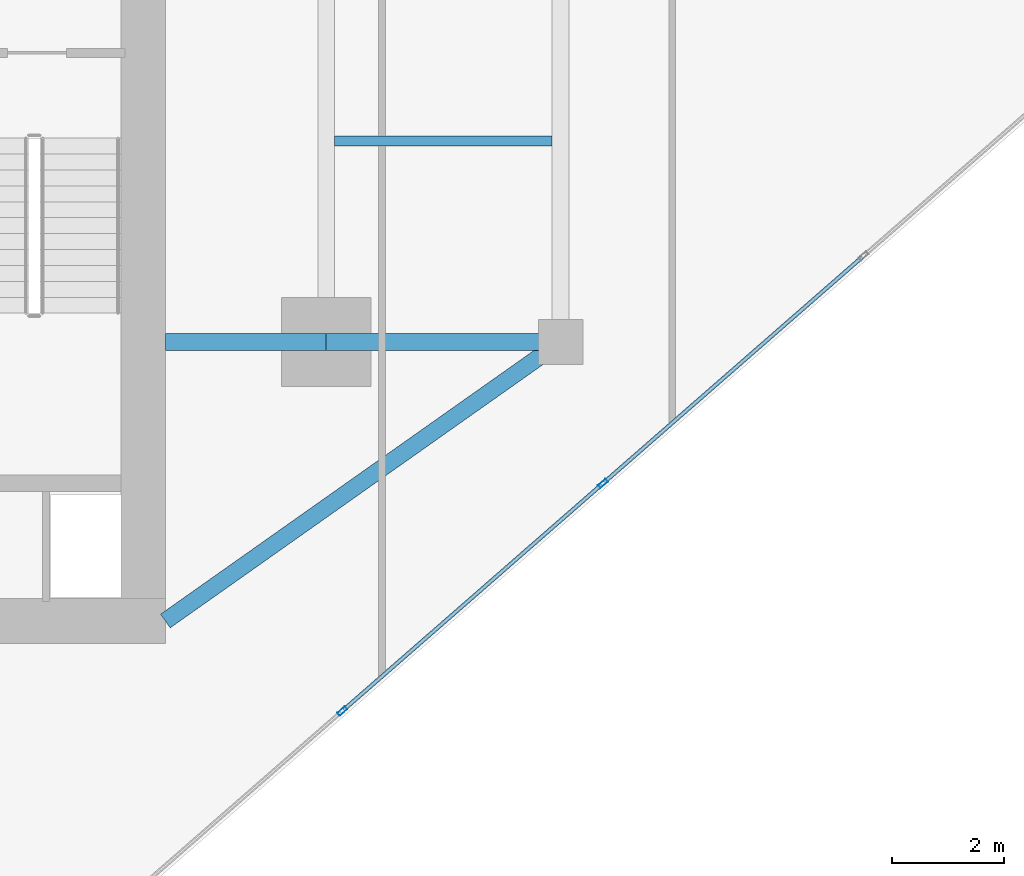
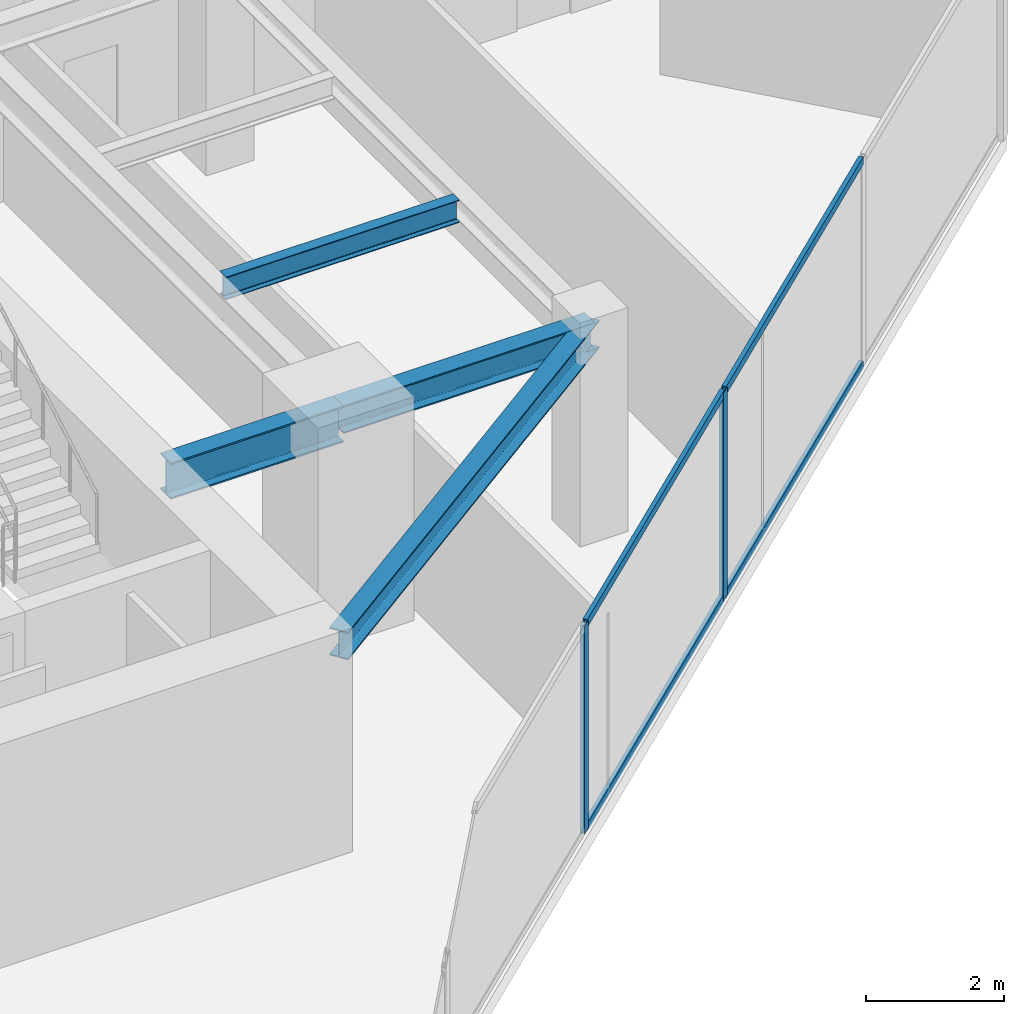
# One storey, part 9 of 24: 6 members, 4 beams, 1 element without a shape of its own.
"""IFC4 building model written with IfcOpenShell, lengths in metres."""

from ifc_helpers import new_model, si_unit, direction, frame, origin, origin_2d, place, context, subcontext, project, spatial, hollow_rectangle, i_section, extrude, source, transform, mapped, material, material_profile, profile_set, type_object, type_shapes, element, aggregate, save


model = new_model("IFC4")

# Units and contexts
model_context = context("Model", 3, precision=1e-05, world=origin(), true_north=direction((0.0, 1.0)))
body_context = subcontext(model_context, "Body", "Model", "MODEL_VIEW")
ifc_project = project(units=[si_unit("LENGTHUNIT", "METRE"), si_unit("AREAUNIT", "SQUARE_METRE"), si_unit("VOLUMEUNIT", "CUBIC_METRE"), si_unit("PLANEANGLEUNIT", "RADIAN"), si_unit("MASSUNIT", "GRAM", prefix="KILO")], contexts=[model_context])

# Site, building, storey
site_placement = place(None, origin())
site = spatial("IfcSite", under=ifc_project, at=site_placement, CompositionType="ELEMENT")
building_placement = place(site_placement, origin())
building = spatial("IfcBuilding", under=site, at=building_placement, Name="Krantzveldt Concourse Tower", CompositionType="ELEMENT")
storey_placement = place(building_placement, frame((0.0, 0.0, 250.75)))
storey = spatial("IfcBuildingStorey", under=building, at=storey_placement, Name="L61", CompositionType="ELEMENT", Elevation=250.75)

# Beams
ifc_material_1 = material(Name="Steel S355JR", Category="steel")
ifc_material_profile_1 = material_profile(ifc_material_1, i_section(OverallWidth=0.300048828125, OverallDepth=0.639892578125, WebThickness=0.013427734375, FlangeThickness=0.02587890625, FilletRadius=0.027099609375, at=origin_2d()), Name="Steel S355JR", Category="steel")
ifc_profile_set_1 = profile_set([ifc_material_profile_1], Name="Steel S355JR - HEA 650")
beam_type_1 = type_object("IfcBeamType", Name="BM-B-HEA650", PredefinedType="BEAM", material=ifc_profile_set_1)
shared_shape_1 = source(origin(), body_context, "Body", "SweptSolid", [
    extrude(i_section(OverallWidth=0.300048828125, OverallDepth=0.639892578125, WebThickness=0.013427734375, FlangeThickness=0.02587890625, FilletRadius=0.027099609375, at=origin_2d()), origin(), (0.0, 0.0, 1.0), 2.880126953125),
])
type_shapes(beam_type_1, [shared_shape_1])
beam_1_placement = place(storey_placement, frame((43.919921875, 15.89990234375, 3.35009765625), z_axis=(1.0, 0.0, 0.0), x_axis=(0.0, 1.0, 0.0)))
element("IfcBeam", 1, at=beam_1_placement, inside=storey, type_object=beam_type_1, Name="L61 Tower Girder BG-CE1", PredefinedType="BEAM", context=body_context, shape_type="MappedRepresentation", body=[
    mapped(shared_shape_1, transform((0.0, 0.0, 0.0), x_axis=(1.0, 0.0, 0.0), y_axis=(0.0, 1.0, 0.0), z_axis=(0.0, 0.0, 1.0), scale=1.0)),
])
ifc_material_profile_2 = material_profile(ifc_material_1, i_section(OverallWidth=0.300048828125, OverallDepth=0.489990234375, WebThickness=0.011962890625, FlangeThickness=0.02294921875, FilletRadius=0.027099609375, at=origin_2d()), Name="Steel S355JR", Category="steel")
ifc_profile_set_2 = profile_set([ifc_material_profile_2], Name="Steel S355JR - HEA 500")
beam_type_2 = type_object("IfcBeamType", Name="BM-B-HEA500", PredefinedType="BEAM", material=ifc_profile_set_2)
shared_shape_2 = source(origin(), body_context, "Body", "SweptSolid", [
    extrude(i_section(OverallWidth=0.300048828125, OverallDepth=0.489990234375, WebThickness=0.011962890625, FlangeThickness=0.02294921875, FilletRadius=0.027099609375, at=origin_2d()), origin(), (0.0, 0.0, 1.0), 4.199951171875),
])
beam_2_placement = place(storey_placement, frame((46.800048828125, 15.89990234375, 3.425048828125), z_axis=(1.0, 0.0, 0.0), x_axis=(0.0, 1.0, 0.0)))
element("IfcBeam", 2, at=beam_2_placement, inside=storey, type_object=beam_type_2, Name="L61 Tower Girder BR-RR1", PredefinedType="BEAM", context=body_context, shape_type="MappedRepresentation", body=[
    mapped(shared_shape_2, transform((0.0, 0.0, 0.0), x_axis=(1.0, 0.0, 0.0), y_axis=(0.0, 1.0, 0.0), z_axis=(0.0, 0.0, 1.0), scale=1.0)),
])
shared_shape_3 = source(origin(), body_context, "Body", "SweptSolid", [
    extrude(i_section(OverallWidth=0.300048828125, OverallDepth=0.489990234375, WebThickness=0.011962890625, FlangeThickness=0.02294921875, FilletRadius=0.027099609375, at=origin_2d()), origin(), (0.0, 0.0, 1.0), 8.667724609375),
])
type_shapes(beam_type_2, [shared_shape_2, shared_shape_3])
beam_3_placement = place(storey_placement, frame((51.0, 15.89990234375, 3.425048828125), z_axis=(-0.81684294656, -0.576860122261, 0.0), x_axis=(0.576860122261, -0.81684294656, 0.0)))
element("IfcBeam", 3, at=beam_3_placement, inside=storey, type_object=beam_type_2, Name="L61 Tower Girder BR-CSE", PredefinedType="BEAM", context=body_context, shape_type="MappedRepresentation", body=[
    mapped(shared_shape_3, transform((0.0, 0.0, 0.0), x_axis=(1.0, 0.0, 0.0), y_axis=(0.0, 1.0, 0.0), z_axis=(0.0, 0.0, 1.0), scale=1.0)),
])
ifc_material_profile_3 = material_profile(ifc_material_1, i_section(OverallWidth=0.179931640625, OverallDepth=0.39990234375, WebThickness=0.008544921875, FlangeThickness=0.013427734375, FilletRadius=0.02099609375, at=origin_2d()), Name="Steel S355JR", Category="steel")
ifc_profile_set_3 = profile_set([ifc_material_profile_3], Name="Steel S355JR - IPE 400")
beam_type_3 = type_object("IfcBeamType", Name="BM-J-IPE400", PredefinedType="JOIST", material=ifc_profile_set_3)
shared_shape_4 = source(origin(), body_context, "Body", "SweptSolid", [
    extrude(i_section(OverallWidth=0.179931640625, OverallDepth=0.39990234375, WebThickness=0.008544921875, FlangeThickness=0.013427734375, FilletRadius=0.02099609375, at=origin_2d()), origin(), (0.0, 0.0, 1.0), 3.900146484375),
])
type_shapes(beam_type_3, [shared_shape_4])
beam_4_placement = place(storey_placement, frame((46.949951171875, 19.5, 3.469970703125), z_axis=(1.0, 0.0, 0.0), x_axis=(0.0, 1.0, 0.0)))
element("IfcBeam", 4, at=beam_4_placement, inside=storey, type_object=beam_type_3, Name="L61 Secondary Floor Joist JE-1", PredefinedType="JOIST", context=body_context, shape_type="MappedRepresentation", body=[
    mapped(shared_shape_4, transform((0.0, 0.0, 0.0), x_axis=(1.0, 0.0, 0.0), y_axis=(0.0, 1.0, 0.0), z_axis=(0.0, 0.0, 1.0), scale=1.0)),
])

# Curtain wall, members
ifc_material_2 = material(Name="Anodised aluminium 6063-T6", Category="aluminium")
curtain_wall_type = type_object("IfcCurtainWallType", Name="CW3", PredefinedType="USERDEFINED", material=ifc_material_2)
curtain_wall_placement = place(storey_placement, origin())
curtain_wall = element("IfcCurtainWall", 5, at=curtain_wall_placement, inside=storey, type_object=curtain_wall_type, Name="CW-L61-F07", ObjectType="UNITISED CURTAIN WALL", PredefinedType="USERDEFINED")
ifc_material_profile_4 = material_profile(ifc_material_2, hollow_rectangle(XDim=0.070068359375, YDim=0.179931640625, WallThickness=0.0048828125, at=origin_2d()), Name="Anodised aluminium 6063-T6", Category="aluminium")
ifc_profile_set_4 = profile_set([ifc_material_profile_4], Name="Anodised aluminium 6063-T6 - ALU-MULL 180x70x5")
member_type_1 = type_object("IfcMemberType", Name="CW-MUL-180", PredefinedType="MULLION", material=ifc_profile_set_4)
shared_shape_5 = source(origin(), body_context, "Body", "SweptSolid", [
    extrude(hollow_rectangle(XDim=0.070068359375, YDim=0.179931640625, WallThickness=0.0048828125, at=origin_2d()), origin(), (0.0, 0.0, 1.0), 3.669921875),
])
type_shapes(member_type_1, [shared_shape_5])
member_1_placement = place(storey_placement, frame((47.088623046875, 9.28662109375, 0.0), z_axis=(0.0, 0.0, 1.0), x_axis=(-0.657703938567, 0.753276529034, 0.0)))
member_1 = element("IfcMember", 6, at=member_1_placement, type_object=member_type_1, Name="CW-Z34 mullion 3", PredefinedType="MULLION", context=body_context, shape_type="MappedRepresentation", body=[
    mapped(shared_shape_5, transform((0.0, 0.0, 0.0), x_axis=(1.0, 0.0, 0.0), y_axis=(0.0, 1.0, 0.0), z_axis=(0.0, 0.0, 1.0), scale=1.0)),
])
member_2_placement = place(storey_placement, frame((51.7587890625, 13.364501953125, 0.0), z_axis=(0.0, 0.0, 1.0), x_axis=(-0.657703938567, 0.753276529034, 0.0)))
member_2 = element("IfcMember", 7, at=member_2_placement, type_object=member_type_1, Name="CW-Z34 mullion 4", PredefinedType="MULLION", context=body_context, shape_type="MappedRepresentation", body=[
    mapped(shared_shape_5, transform((0.0, 0.0, 0.0), x_axis=(1.0, 0.0, 0.0), y_axis=(0.0, 1.0, 0.0), z_axis=(0.0, 0.0, 1.0), scale=1.0)),
])
ifc_material_profile_5 = material_profile(ifc_material_2, hollow_rectangle(XDim=0.070068359375, YDim=0.139892578125, WallThickness=0.0048828125, at=origin_2d()), Name="Anodised aluminium 6063-T6", Category="aluminium")
ifc_profile_set_5 = profile_set([ifc_material_profile_5], Name="Anodised aluminium 6063-T6 - ALU-TRAN 140x70x5")
member_type_2 = type_object("IfcMemberType", Name="CW-TRN-150", PredefinedType="USERDEFINED", material=ifc_profile_set_5)
shared_shape_6 = source(origin(), body_context, "Body", "SweptSolid", [
    extrude(hollow_rectangle(XDim=0.070068359375, YDim=0.139892578125, WallThickness=0.0048828125, at=origin_2d()), origin(), (0.0, 0.0, 1.0), 6.130126953125),
])
member_3_placement = place(storey_placement, frame((51.78515625, 13.387451171875, 0.034912109375), z_axis=(0.753281864593, 0.657697827635, 0.0), x_axis=(-0.657697827635, 0.753281864593, 0.0)))
member_3 = element("IfcMember", 8, at=member_3_placement, type_object=member_type_2, Name="CW-Z34 transom 4.1", ObjectType="TRANSOM", PredefinedType="USERDEFINED", context=body_context, shape_type="MappedRepresentation", body=[
    mapped(shared_shape_6, transform((0.0, 0.0, 0.0), x_axis=(1.0, 0.0, 0.0), y_axis=(0.0, 1.0, 0.0), z_axis=(0.0, 0.0, 1.0), scale=1.0)),
])
member_4_placement = place(storey_placement, frame((51.78515625, 13.387451171875, 3.635009765625), z_axis=(0.753281864593, 0.657697827635, 0.0), x_axis=(-0.657697827635, 0.753281864593, 0.0)))
member_4 = element("IfcMember", 9, at=member_4_placement, type_object=member_type_2, Name="CW-Z34 transom 4.2", ObjectType="TRANSOM", PredefinedType="USERDEFINED", context=body_context, shape_type="MappedRepresentation", body=[
    mapped(shared_shape_6, transform((0.0, 0.0, 0.0), x_axis=(1.0, 0.0, 0.0), y_axis=(0.0, 1.0, 0.0), z_axis=(0.0, 0.0, 1.0), scale=1.0)),
])
shared_shape_7 = source(origin(), body_context, "Body", "SweptSolid", [
    extrude(hollow_rectangle(XDim=0.070068359375, YDim=0.139892578125, WallThickness=0.0048828125, at=origin_2d()), origin(), (0.0, 0.0, 1.0), 6.1298828125),
])
type_shapes(member_type_2, [shared_shape_6, shared_shape_7])
member_5_placement = place(storey_placement, frame((47.114990234375, 9.309814453125, 0.034912109375), z_axis=(0.753264636132, 0.657717559408, 0.0), x_axis=(-0.657717559408, 0.753264636132, 0.0)))
member_5 = element("IfcMember", 10, at=member_5_placement, type_object=member_type_2, Name="CW-Z34 transom 3.1", ObjectType="TRANSOM", PredefinedType="USERDEFINED", context=body_context, shape_type="MappedRepresentation", body=[
    mapped(shared_shape_7, transform((0.0, 0.0, 0.0), x_axis=(1.0, 0.0, 0.0), y_axis=(0.0, 1.0, 0.0), z_axis=(0.0, 0.0, 1.0), scale=1.0)),
])
member_6_placement = place(storey_placement, frame((47.114990234375, 9.309814453125, 3.635009765625), z_axis=(0.753264636132, 0.657717559408, 0.0), x_axis=(-0.657717559408, 0.753264636132, 0.0)))
member_6 = element("IfcMember", 11, at=member_6_placement, type_object=member_type_2, Name="CW-Z34 transom 3.2", ObjectType="TRANSOM", PredefinedType="USERDEFINED", context=body_context, shape_type="MappedRepresentation", body=[
    mapped(shared_shape_7, transform((0.0, 0.0, 0.0), x_axis=(1.0, 0.0, 0.0), y_axis=(0.0, 1.0, 0.0), z_axis=(0.0, 0.0, 1.0), scale=1.0)),
])
aggregate(curtain_wall, [member_1, member_2, member_5, member_6, member_3, member_4])

save(model, "model.ifc")
